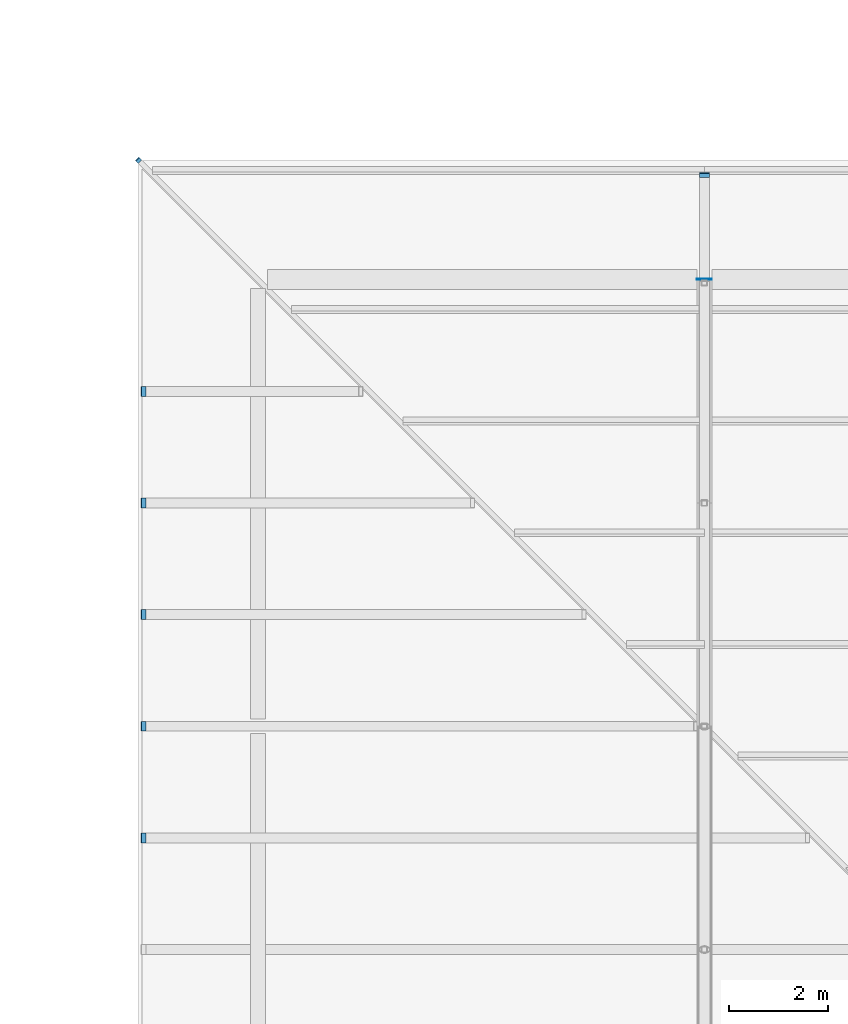
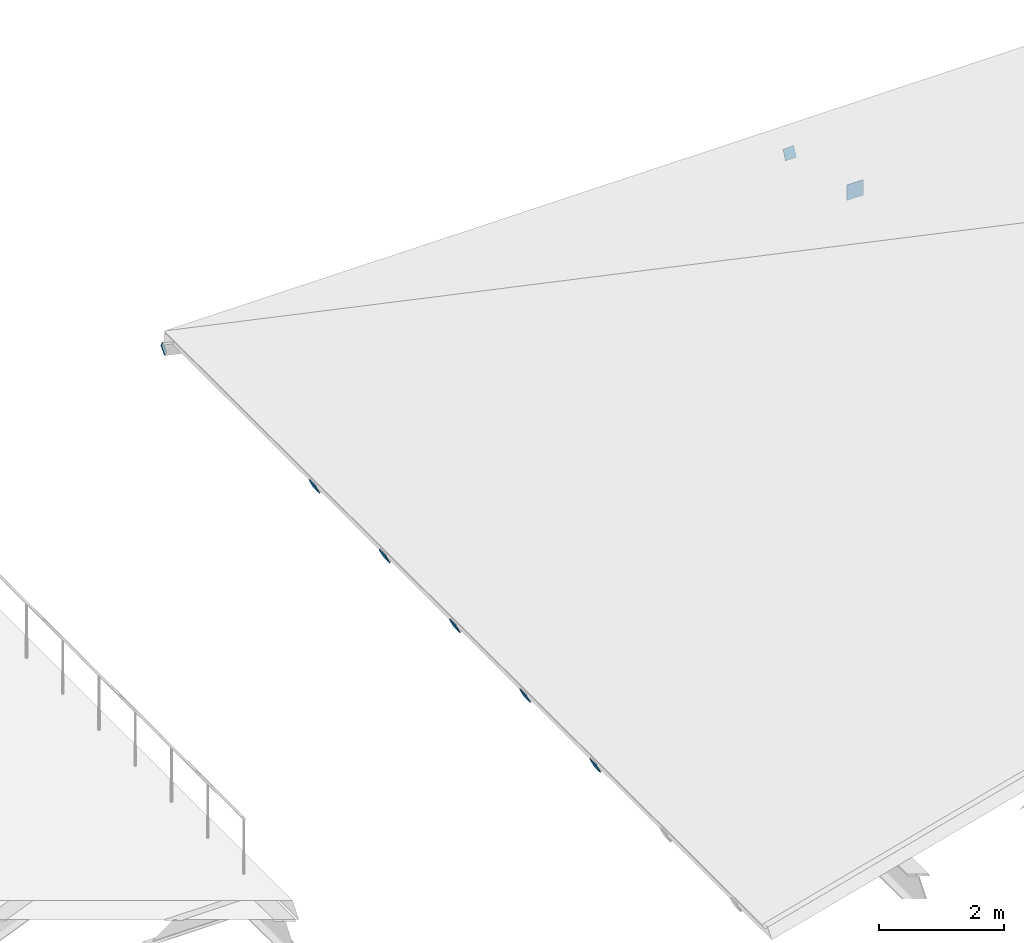
# One storey, part 130 of 154: 8 discrete accessories.
"""IFC4 building model written with IfcOpenShell, lengths in metres."""

from ifc_helpers import new_model, si_unit, direction, frame, origin, origin_2d, place, context, subcontext, project, spatial, rectangle, extrude, material, material_profile, profile_set, type_object, element, save


model = new_model("IFC4")

# Units and contexts
model_context = context("Model", 3, precision=1e-05, world=origin(), true_north=direction((0.0, 1.0)))
body_context = subcontext(model_context, "Body", "Model", "MODEL_VIEW")
ifc_project = project(units=[si_unit("LENGTHUNIT", "METRE"), si_unit("AREAUNIT", "SQUARE_METRE"), si_unit("VOLUMEUNIT", "CUBIC_METRE"), si_unit("PLANEANGLEUNIT", "RADIAN"), si_unit("MASSUNIT", "GRAM", prefix="KILO")], contexts=[model_context])

# Site, building, storey
site_placement = place(None, origin())
site = spatial("IfcSite", under=ifc_project, at=site_placement, CompositionType="ELEMENT")
building_placement = place(site_placement, origin())
building = spatial("IfcBuilding", under=site, at=building_placement, Name="Golden Quay Civic Hall", CompositionType="ELEMENT")
storey_placement = place(building_placement, frame((0.0, 0.0, 14.39990234375)))
storey = spatial("IfcBuildingStorey", under=building, at=storey_placement, Name="L03", CompositionType="ELEMENT", Elevation=14.39990234375)

# Discrete accessories
ifc_material_1 = material(Name="Steel S355", Category="steel")
ifc_material_profile_1 = material_profile(ifc_material_1, rectangle(XDim=0.10009765625, YDim=0.199951171875, at=origin_2d()), Name="Steel end cap plate 100x200x16")
ifc_profile_set_1 = profile_set([ifc_material_profile_1], Name="Steel S355")
discrete_accessory_type_1 = type_object("IfcDiscreteAccessoryType", Name="Steel end cap plate 100x200x16", PredefinedType="BRACKET", material=ifc_profile_set_1)
discrete_accessory_1_placement = place(storey_placement, frame((114.60009765625, 101.39990234375, -0.663818359375), z_axis=(-0.669981710718, 0.669981710718, -0.319763998297), x_axis=(-0.707106781187, -0.707106781187, 0.0)))
element("IfcDiscreteAccessory", 1, at=discrete_accessory_1_placement, inside=storey, type_object=discrete_accessory_type_1, Name="End cap hip rafter north-west", PredefinedType="BRACKET", context=body_context, shape_type="SweptSolid", body=[
    extrude(rectangle(XDim=0.10009765625, YDim=0.199951171875, at=origin_2d()), origin(), (0.0, 0.0, 1.0), 0.01611328125),
])
ifc_material_2 = material(Name="Steel S355", Category="steel")
ifc_material_profile_2 = material_profile(ifc_material_2, rectangle(XDim=0.199951171875, YDim=0.199951171875, at=origin_2d()), Name="Steel end cap plate 200x200x16")
ifc_profile_set_2 = profile_set([ifc_material_profile_2], Name="Steel S355")
discrete_accessory_type_2 = type_object("IfcDiscreteAccessoryType", Name="Steel end cap plate 200x200x16", PredefinedType="BRACKET", material=ifc_profile_set_2)
for number, where, z_axis, x_axis, name in (
    (2, (126.0, 101.10009765625, -0.651123046875), (0.0, 0.90342581024, -0.428744452317), (-1.0, 0.0, 0.0), "End cap truss 126 top chord 10"),
    (3, (114.699951171875, 87.75, -0.56787109375), (-0.90342581024, 0.0, -0.428744452317), (0.0, -1.0, 0.0), "End cap jack rafter west 11"),
    (4, (114.699951171875, 90.0, -0.56787109375), (-0.90342581024, 0.0, -0.428744452317), (0.0, -1.0, 0.0), "End cap jack rafter west 12"),
    (5, (114.699951171875, 92.25, -0.56787109375), (-0.90342581024, 0.0, -0.428744452317), (0.0, -1.0, 0.0), "End cap jack rafter west 13"),
    (6, (114.699951171875, 94.5, -0.56787109375), (-0.90342581024, 0.0, -0.428744452317), (0.0, -1.0, 0.0), "End cap jack rafter west 14"),
    (7, (114.699951171875, 96.75, -0.56787109375), (-0.90342581024, 0.0, -0.428744452317), (0.0, -1.0, 0.0), "End cap jack rafter west 15"),
):
    element("IfcDiscreteAccessory", number, at=place(storey_placement, frame(where, z_axis=z_axis, x_axis=x_axis)), inside=storey, type_object=discrete_accessory_type_2, Name=name, PredefinedType="BRACKET", context=body_context, shape_type="SweptSolid", body=[
        extrude(rectangle(XDim=0.199951171875, YDim=0.199951171875, at=origin_2d()), origin(), (0.0, 0.0, 1.0), 0.015869140625),
    ])
ifc_material_3 = material(Name="Steel S355", Category="steel")
ifc_material_profile_3 = material_profile(ifc_material_3, rectangle(XDim=0.300048828125, YDim=0.300048828125, at=origin_2d()), Name="Steel end cap plate 300x300x16")
ifc_profile_set_3 = profile_set([ifc_material_profile_3], Name="Steel S355")
discrete_accessory_type_3 = type_object("IfcDiscreteAccessoryType", Name="Steel end cap plate 300x300x16", PredefinedType="BRACKET", material=ifc_profile_set_3)
discrete_accessory_2_placement = place(storey_placement, frame((126.0, 99.0, -0.099853515625), z_axis=(0.0, 1.0, 0.0), x_axis=(-1.0, 0.0, 0.0)))
element("IfcDiscreteAccessory", 8, at=discrete_accessory_2_placement, inside=storey, type_object=discrete_accessory_type_3, Name="End cap truss 126 bottom chord 8", PredefinedType="BRACKET", context=body_context, shape_type="SweptSolid", body=[
    extrude(rectangle(XDim=0.300048828125, YDim=0.300048828125, at=origin_2d()), origin(), (0.0, 0.0, 1.0), 0.01611328125),
])

save(model, "model.ifc")
